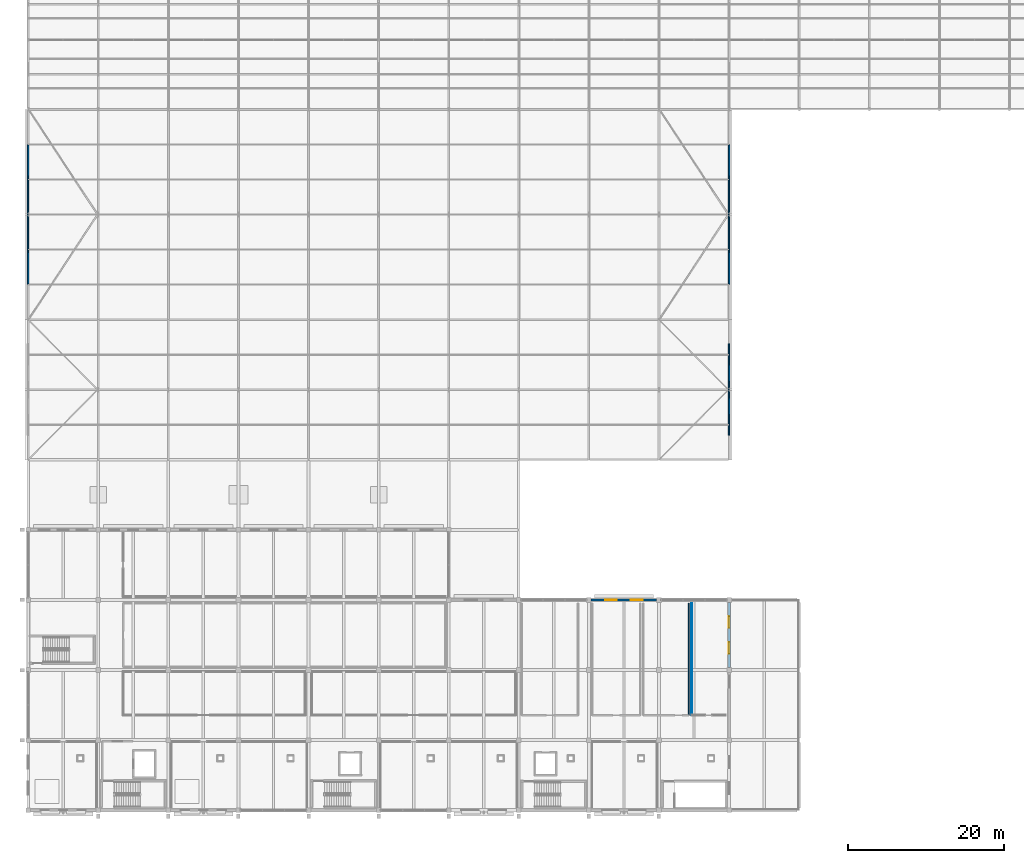
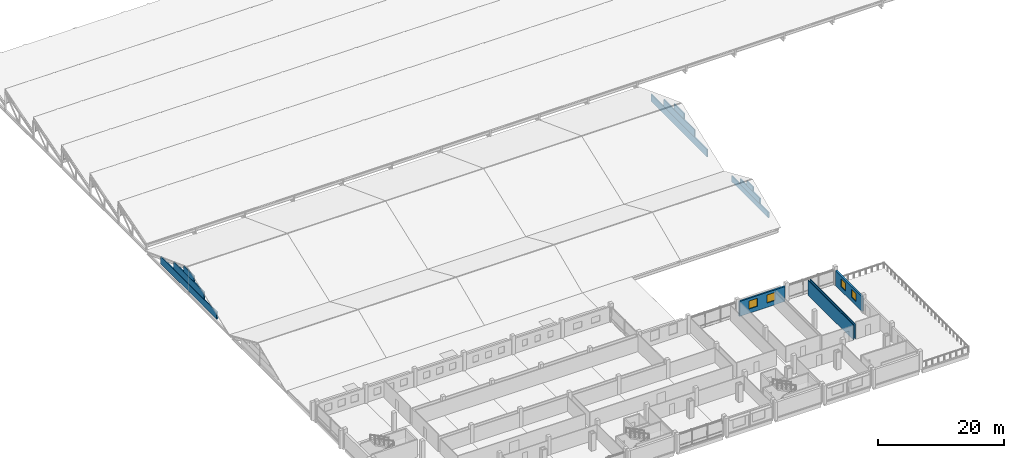
# One storey, part 152 of 163: 13 walls, 4 windows, 4 openings.
"""IFC4 building model written with IfcOpenShell, lengths in metres."""

from ifc_helpers import new_model, si_unit, direction, frame, frame_2d, origin, place, context, subcontext, project, spatial, rectangle, extrude, material, layer, layer_set, type_object, element, fill, save


model = new_model("IFC4")

# Units and contexts
model_context = context("Model", 3, precision=1e-05, world=origin(), true_north=direction((0.0, 1.0)))
body_context = subcontext(model_context, "Body", "Model", "MODEL_VIEW")
ifc_project = project(units=[si_unit("LENGTHUNIT", "METRE"), si_unit("AREAUNIT", "SQUARE_METRE"), si_unit("VOLUMEUNIT", "CUBIC_METRE"), si_unit("PLANEANGLEUNIT", "RADIAN"), si_unit("MASSUNIT", "GRAM", prefix="KILO")], contexts=[model_context])

# Site, building, storey
site_placement = place(None, origin())
site = spatial("IfcSite", under=ifc_project, at=site_placement, CompositionType="ELEMENT")
building_placement = place(site_placement, origin())
building = spatial("IfcBuilding", under=site, at=building_placement, Name="Tharagai Park Tramway Depot", CompositionType="ELEMENT")
storey_placement = place(building_placement, frame((0.0, 0.0, 8.39990234375)))
storey = spatial("IfcBuildingStorey", under=building, at=storey_placement, Name="L02", CompositionType="ELEMENT", Elevation=8.39990234375)

# Wall, openings, windows
ifc_material_1 = material(Name="Pressed clay brick", Category="masonry")
ifc_layer_1 = layer(ifc_material_1, 0.300048828125)
ifc_layer_set_1 = layer_set([ifc_layer_1], Name="Pressed clay brick")
wall_type_1 = type_object("IfcWallType", Name="EW-08", PredefinedType="SOLIDWALL", material=ifc_layer_set_1)
wall_1_placement = place(storey_placement, frame((72.298095703125, 27.0, 0.0), z_axis=(0.0, 0.0, 1.0), x_axis=(1.0, 0.0, 0.0)))
wall_1 = element("IfcWall", 1, at=wall_1_placement, inside=storey, type_object=wall_type_1, Name="L02 V4 Exterior Masonry Wall EW-08", PredefinedType="SOLIDWALL", context=body_context, shape_type="SweptSolid", body=[
    extrude(rectangle(XDim=8.40380859375, YDim=0.300048828125, at=frame_2d((4.201904296875, 0.0))), origin(), (0.0, 0.0, 1.0), 2.902099609375),
])
opening_1_placement = place(wall_1_placement, frame((1.801025390625, 0.0, 0.85009765625)))
opening_1 = element("IfcOpeningElement", 2, at=opening_1_placement, cuts=wall_1, Name="Opening WN-20", PredefinedType="OPENING", context=body_context, shape_type="SweptSolid", body=[
    extrude(rectangle(XDim=1.5, YDim=1.550048828125, at=frame_2d((0.75, 0.77490234375))), frame((0.0, 0.159912109375, 0.0), z_axis=(0.0, -1.0, 0.0), x_axis=(1.0, 0.0, 0.0)), (0.0, 0.0, 1.0), 0.320068359375),
])
opening_2_placement = place(wall_1_placement, frame((5.10302734375, 0.0, 0.85009765625)))
opening_2 = element("IfcOpeningElement", 3, at=opening_2_placement, cuts=wall_1, Name="Opening WN-20", PredefinedType="OPENING", context=body_context, shape_type="SweptSolid", body=[
    extrude(rectangle(XDim=1.5, YDim=1.550048828125, at=frame_2d((0.75, 0.77490234375))), frame((0.0, 0.159912109375, 0.0), z_axis=(0.0, -1.0, 0.0), x_axis=(1.0, 0.0, 0.0)), (0.0, 0.0, 1.0), 0.320068359375),
])
ifc_material_2 = material(Name="Laminated solar-control glass", Category="glass")
window_type_1 = type_object("IfcWindowType", Name="WN-20", PartitioningType="SINGLE_PANEL", PredefinedType="WINDOW", material=ifc_material_2)
window_1_placement = place(opening_1_placement, origin())
window_1 = element("IfcWindow", 4, at=window_1_placement, inside=storey, type_object=window_type_1, Name="L02 V4 Gothic Lancet Window WN-20", OverallHeight=1.550048828125, OverallWidth=1.5, PartitioningType="SINGLE_PANEL", PredefinedType="WINDOW", context=body_context, shape_type="SweptSolid", body=[
    extrude(rectangle(XDim=1.5, YDim=1.550048828125, at=frame_2d((0.75, 0.77490234375))), frame((0.0, 0.030029296875, 0.0), z_axis=(0.0, -1.0, 0.0), x_axis=(1.0, 0.0, 0.0)), (0.0, 0.0, 1.0), 0.06005859375),
])
fill(opening_1, window_1)
window_2_placement = place(opening_2_placement, origin())
window_2 = element("IfcWindow", 5, at=window_2_placement, inside=storey, type_object=window_type_1, Name="L02 V4 Gothic Lancet Window WN-20", OverallHeight=1.550048828125, OverallWidth=1.5, PartitioningType="SINGLE_PANEL", PredefinedType="WINDOW", context=body_context, shape_type="SweptSolid", body=[
    extrude(rectangle(XDim=1.5, YDim=1.550048828125, at=frame_2d((0.75, 0.77490234375))), frame((0.0, 0.030029296875, 0.0), z_axis=(0.0, -1.0, 0.0), x_axis=(1.0, 0.0, 0.0)), (0.0, 0.0, 1.0), 0.06005859375),
])
fill(opening_2, window_2)

wall_2_placement = place(storey_placement, frame((90.0, 18.298095703125, 0.0), z_axis=(0.0, 0.0, 1.0), x_axis=(0.0, 1.0, 0.0)))
wall_2 = element("IfcWall", 6, at=wall_2_placement, inside=storey, type_object=wall_type_1, Name="L02 V4 Exterior Masonry Wall EW-08", PredefinedType="SOLIDWALL", context=body_context, shape_type="SweptSolid", body=[
    extrude(rectangle(XDim=8.40380859375, YDim=0.300048828125, at=frame_2d((4.201904296875, 0.0))), origin(), (0.0, 0.0, 1.0), 2.902099609375),
])
opening_3_placement = place(wall_2_placement, frame((1.81494140625, 0.0, 0.85009765625)))
opening_3 = element("IfcOpeningElement", 7, at=opening_3_placement, cuts=wall_2, Name="Opening WN-03", PredefinedType="OPENING", context=body_context, shape_type="SweptSolid", body=[
    extrude(rectangle(XDim=1.47998046875, YDim=1.56005859375, at=frame_2d((0.739990234375, 0.780029296875))), frame((0.0, 0.159912109375, 0.0), z_axis=(0.0, -1.0, 0.0), x_axis=(1.0, 0.0, 0.0)), (0.0, 0.0, 1.0), 0.320068359375),
])
opening_4_placement = place(wall_2_placement, frame((5.10888671875, 0.0, 0.85009765625)))
opening_4 = element("IfcOpeningElement", 8, at=opening_4_placement, cuts=wall_2, Name="Opening WN-03", PredefinedType="OPENING", context=body_context, shape_type="SweptSolid", body=[
    extrude(rectangle(XDim=1.47998046875, YDim=1.56005859375, at=frame_2d((0.739990234375, 0.780029296875))), frame((0.0, 0.159912109375, 0.0), z_axis=(0.0, -1.0, 0.0), x_axis=(1.0, 0.0, 0.0)), (0.0, 0.0, 1.0), 0.320068359375),
])
window_type_2 = type_object("IfcWindowType", Name="WN-03", PartitioningType="SINGLE_PANEL", PredefinedType="WINDOW", material=ifc_material_2)
window_3_placement = place(opening_3_placement, origin())
window_3 = element("IfcWindow", 9, at=window_3_placement, inside=storey, type_object=window_type_2, Name="L02 V4 Side Lancet Window WN-03", OverallHeight=1.56005859375, OverallWidth=1.47998046875, PartitioningType="SINGLE_PANEL", PredefinedType="WINDOW", context=body_context, shape_type="SweptSolid", body=[
    extrude(rectangle(XDim=1.47998046875, YDim=1.56005859375, at=frame_2d((0.739990234375, 0.780029296875))), frame((0.0, 0.030029296875, 0.0), z_axis=(0.0, -1.0, 0.0), x_axis=(1.0, 0.0, 0.0)), (0.0, 0.0, 1.0), 0.06005859375),
])
fill(opening_3, window_3)
window_4_placement = place(opening_4_placement, origin())
window_4 = element("IfcWindow", 10, at=window_4_placement, inside=storey, type_object=window_type_2, Name="L02 V4 Side Lancet Window WN-03", OverallHeight=1.56005859375, OverallWidth=1.47998046875, PartitioningType="SINGLE_PANEL", PredefinedType="WINDOW", context=body_context, shape_type="SweptSolid", body=[
    extrude(rectangle(XDim=1.47998046875, YDim=1.56005859375, at=frame_2d((0.739990234375, 0.780029296875))), frame((0.0, 0.030029296875, 0.0), z_axis=(0.0, -1.0, 0.0), x_axis=(1.0, 0.0, 0.0)), (0.0, 0.0, 1.0), 0.06005859375),
])
fill(opening_4, window_4)

# Walls
ifc_layer_2 = layer(ifc_material_1, 0.139892578125)
ifc_layer_set_2 = layer_set([ifc_layer_2], Name="Pressed clay brick")
wall_type_2 = type_object("IfcWallType", Name="IW-01", PredefinedType="PARTITIONING", material=ifc_layer_set_2)
wall_3_placement = place(storey_placement, frame((84.800048828125, 12.199951171875, 0.0), z_axis=(0.0, 0.0, 1.0), x_axis=(0.0, 1.0, 0.0)))
element("IfcWall", 11, at=wall_3_placement, inside=storey, type_object=wall_type_2, Name="Second Floor Accessible WC Partition East", PredefinedType="PARTITIONING", context=body_context, shape_type="SweptSolid", body=[
    extrude(rectangle(XDim=14.400146484375, YDim=0.139892578125, at=frame_2d((7.2001953125, 0.0))), origin(), (0.0, 0.0, 1.0), 2.905029296875),
])
ifc_material_3 = material(Name="Gypsum board", Category="gypsum")
ifc_layer_3 = layer(ifc_material_3, 0.1201171875)
ifc_layer_set_3 = layer_set([ifc_layer_3], Name="Gypsum board")
wall_type_3 = type_object("IfcWallType", Name="IW-03", PredefinedType="PARTITIONING", material=ifc_layer_set_3)
wall_4_placement = place(storey_placement, frame((85.199951171875, 12.199951171875, 0.0), z_axis=(0.0, 0.0, 1.0), x_axis=(0.0, 1.0, 0.0)))
element("IfcWall", 12, at=wall_4_placement, inside=storey, type_object=wall_type_3, Name="Court Terrace Lounge Partition West", PredefinedType="PARTITIONING", context=body_context, shape_type="SweptSolid", body=[
    extrude(rectangle(XDim=14.400146484375, YDim=0.1201171875, at=frame_2d((7.2001953125, 0.0))), origin(), (0.0, 0.0, 1.0), 2.905029296875),
])
ifc_material_4 = material(Name="Charnockite stone", Category="masonry")
ifc_layer_4 = layer(ifc_material_4, 0.199951171875)
ifc_layer_set_4 = layer_set([ifc_layer_4], Name="Charnockite stone")
wall_type_4 = type_object("IfcWallType", Name="PRW-01", PredefinedType="PARAPET", material=ifc_layer_set_4)
wall_5_placement = place(storey_placement, frame((90.0, 48.1298828125, 0.072021484375), z_axis=(0.0, 0.0, 1.0), x_axis=(0.0, 1.0, 0.0)))
element("IfcWall", 13, at=wall_5_placement, inside=storey, type_object=wall_type_4, Name="V2A Gothic Gable Tympanum Parapet Course 1", PredefinedType="PARAPET", context=body_context, shape_type="SweptSolid", body=[
    extrude(rectangle(XDim=11.740234375, YDim=0.199951171875, at=frame_2d((5.8701171875, 0.0))), origin(), (0.0, 0.0, 1.0), 1.083984375),
])
wall_6_placement = place(storey_placement, frame((90.0, 50.830078125, 1.192138671875), z_axis=(0.0, 0.0, 1.0), x_axis=(0.0, 1.0, 0.0)))
element("IfcWall", 14, at=wall_6_placement, inside=storey, type_object=wall_type_4, Name="V2A Gothic Gable Tympanum Parapet Course 2", PredefinedType="PARAPET", context=body_context, shape_type="SweptSolid", body=[
    extrude(rectangle(XDim=6.33984375, YDim=0.199951171875, at=frame_2d((3.169921875, 0.0))), origin(), (0.0, 0.0, 1.0), 1.0478515625),
])
wall_7_placement = place(storey_placement, frame((90.0, 52.989990234375, 2.276123046875), z_axis=(0.0, 0.0, 1.0), x_axis=(0.0, 1.0, 0.0)))
element("IfcWall", 15, at=wall_7_placement, inside=storey, type_object=wall_type_4, Name="V2A Gothic Gable Tympanum Parapet Course 3", PredefinedType="PARAPET", context=body_context, shape_type="SweptSolid", body=[
    extrude(rectangle(XDim=2.02001953125, YDim=0.199951171875, at=frame_2d((1.010009765625, 0.0))), origin(), (0.0, 0.0, 1.0), 0.8310546875),
])
wall_8_placement = place(storey_placement, frame((0.0, 67.570068359375, 0.09521484375), z_axis=(0.0, 0.0, 1.0), x_axis=(0.0, 1.0, 0.0)))
element("IfcWall", 16, at=wall_8_placement, inside=storey, type_object=wall_type_4, Name="V2B Gothic Gable Tympanum Parapet Course 1", PredefinedType="PARAPET", context=body_context, shape_type="SweptSolid", body=[
    extrude(rectangle(XDim=17.85986328125, YDim=0.199951171875, at=frame_2d((8.929931640625, 0.0))), origin(), (0.0, 0.0, 1.0), 1.423828125),
])
wall_9_placement = place(storey_placement, frame((0.0, 71.6201171875, 1.567138671875), z_axis=(0.0, 0.0, 1.0), x_axis=(0.0, 1.0, 0.0)))
element("IfcWall", 17, at=wall_9_placement, inside=storey, type_object=wall_type_4, Name="V2B Gothic Gable Tympanum Parapet Course 2", PredefinedType="PARAPET", context=body_context, shape_type="SweptSolid", body=[
    extrude(rectangle(XDim=9.759765625, YDim=0.199951171875, at=frame_2d((4.8798828125, 0.0))), origin(), (0.0, 0.0, 1.0), 1.3759765625),
])
wall_10_placement = place(storey_placement, frame((0.0, 74.860107421875, 2.9912109375), z_axis=(0.0, 0.0, 1.0), x_axis=(0.0, 1.0, 0.0)))
element("IfcWall", 18, at=wall_10_placement, inside=storey, type_object=wall_type_4, Name="V2B Gothic Gable Tympanum Parapet Course 3", PredefinedType="PARAPET", context=body_context, shape_type="SweptSolid", body=[
    extrude(rectangle(XDim=3.27978515625, YDim=0.199951171875, at=frame_2d((1.639892578125, 0.0))), origin(), (0.0, 0.0, 1.0), 1.091796875),
])
wall_11_placement = place(storey_placement, frame((90.0, 67.570068359375, 0.09521484375), z_axis=(0.0, 0.0, 1.0), x_axis=(0.0, 1.0, 0.0)))
element("IfcWall", 19, at=wall_11_placement, inside=storey, type_object=wall_type_4, Name="V2B Gothic Gable Tympanum Parapet Course 1", PredefinedType="PARAPET", context=body_context, shape_type="SweptSolid", body=[
    extrude(rectangle(XDim=17.85986328125, YDim=0.199951171875, at=frame_2d((8.929931640625, 0.0))), origin(), (0.0, 0.0, 1.0), 1.423828125),
])
wall_12_placement = place(storey_placement, frame((90.0, 71.6201171875, 1.567138671875), z_axis=(0.0, 0.0, 1.0), x_axis=(0.0, 1.0, 0.0)))
element("IfcWall", 20, at=wall_12_placement, inside=storey, type_object=wall_type_4, Name="V2B Gothic Gable Tympanum Parapet Course 2", PredefinedType="PARAPET", context=body_context, shape_type="SweptSolid", body=[
    extrude(rectangle(XDim=9.759765625, YDim=0.199951171875, at=frame_2d((4.8798828125, 0.0))), origin(), (0.0, 0.0, 1.0), 1.3759765625),
])
wall_13_placement = place(storey_placement, frame((90.0, 74.860107421875, 2.9912109375), z_axis=(0.0, 0.0, 1.0), x_axis=(0.0, 1.0, 0.0)))
element("IfcWall", 21, at=wall_13_placement, inside=storey, type_object=wall_type_4, Name="V2B Gothic Gable Tympanum Parapet Course 3", PredefinedType="PARAPET", context=body_context, shape_type="SweptSolid", body=[
    extrude(rectangle(XDim=3.27978515625, YDim=0.199951171875, at=frame_2d((1.639892578125, 0.0))), origin(), (0.0, 0.0, 1.0), 1.091796875),
])

save(model, "model.ifc")
